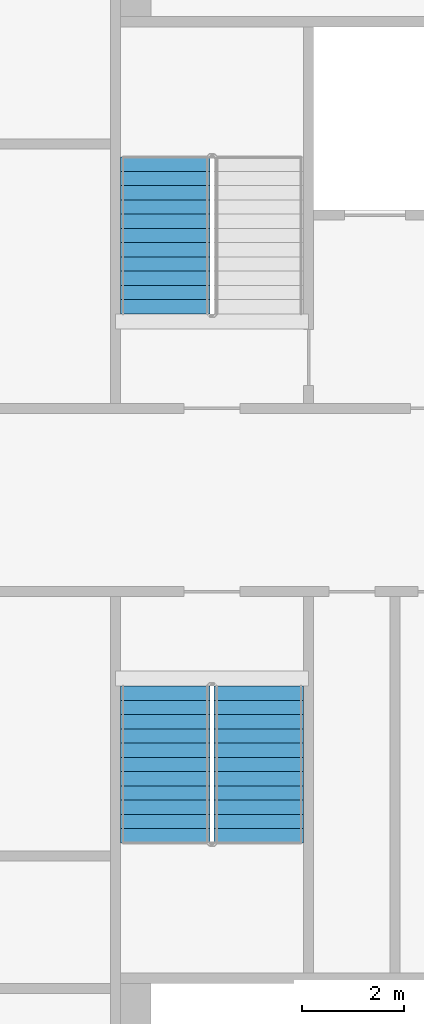
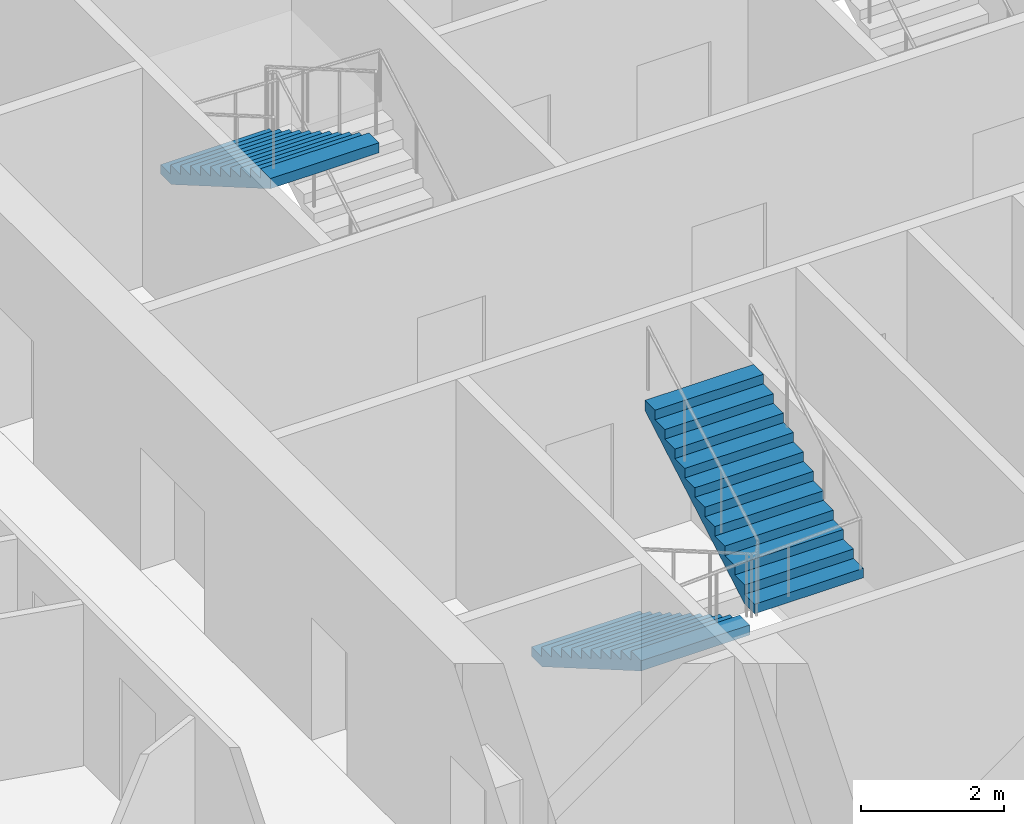
# One storey, part 16 of 23: 3 stair flights, 2 elements without a shape of their own.
"""IFC4 building model written with IfcOpenShell, lengths in metres."""

from ifc_helpers import new_model, si_unit, direction, frame, origin, place, context, subcontext, project, spatial, faceted_brep, material, type_object, element, aggregate, save


model = new_model("IFC4")

# Units and contexts
model_context = context("Model", 3, precision=1e-05, world=origin(), true_north=direction((0.0, 1.0)))
body_context = subcontext(model_context, "Body", "Model", "MODEL_VIEW")
ifc_project = project(units=[si_unit("LENGTHUNIT", "METRE"), si_unit("AREAUNIT", "SQUARE_METRE"), si_unit("VOLUMEUNIT", "CUBIC_METRE"), si_unit("PLANEANGLEUNIT", "RADIAN"), si_unit("MASSUNIT", "GRAM", prefix="KILO")], contexts=[model_context])

# Site, building, storey
site_placement = place(None, origin())
site = spatial("IfcSite", under=ifc_project, at=site_placement, CompositionType="ELEMENT")
building_placement = place(site_placement, origin())
building = spatial("IfcBuilding", under=site, at=building_placement, Name="Tarsis Ring Headquarters", CompositionType="ELEMENT")
storey_placement = place(building_placement, frame((0.0, 0.0, 231.60009765625)))
storey = spatial("IfcBuildingStorey", under=building, at=storey_placement, Name="L54", CompositionType="ELEMENT", Elevation=231.60009765625)

# Stair, stair flight
ifc_material_1 = material(Name="Core stair 1760")
stair_type = type_object("IfcStairType", Name="Core stair 1760", PredefinedType="HALF_TURN_STAIR", material=ifc_material_1)
stair_1_placement = place(storey_placement, origin())
stair_1 = element("IfcStair", 1, at=stair_1_placement, inside=storey, type_object=stair_type, Name="L54 Firefighting stair", PredefinedType="HALF_TURN_STAIR")
ifc_material_2 = material(Name="Concrete C40/50", Category="concrete")
stair_flight_type = type_object("IfcStairFlightType", Name="Core stair flight 1760", PredefinedType="STRAIGHT", material=ifc_material_2)
stair_flight_1_placement = place(storey_placement, frame((-5.419921875, 6.739990234375, 1.949951171875), z_axis=(0.0, 0.0, 1.0), x_axis=(0.0, -1.0, 0.0)))
stair_flight_1 = element("IfcStairFlight", 2, at=stair_flight_1_placement, type_object=stair_flight_type, Name="Stair ST1 flight 2", NumberOfRisers=12, NumberOfTreads=11, PredefinedType="STRAIGHT", RiserHeight=0.1625, TreadLength=0.28, context=body_context, shape_type="Brep", body=[
    faceted_brep([(0.0, 0.8798828125, 0.0), (0.0, 0.8798828125, 0.16259765625), (0.280029296875, 0.8798828125, 0.16259765625), (0.280029296875, 0.8798828125, 0.324951171875), (0.56005859375, 0.8798828125, 0.324951171875), (0.56005859375, 0.8798828125, 0.487548828125), (0.840087890625, 0.8798828125, 0.487548828125), (0.840087890625, 0.8798828125, 0.64990234375), (1.1201171875, 0.8798828125, 0.64990234375), (1.1201171875, 0.8798828125, 0.8125), (1.39990234375, 0.8798828125, 0.8125), (1.39990234375, 0.8798828125, 0.97509765625), (1.679931640625, 0.8798828125, 0.97509765625), (1.679931640625, 0.8798828125, 1.137451171875), (1.9599609375, 0.8798828125, 1.137451171875), (1.9599609375, 0.8798828125, 1.300048828125), (2.239990234375, 0.8798828125, 1.300048828125), (2.239990234375, 0.8798828125, 1.46240234375), (2.52001953125, 0.8798828125, 1.46240234375), (2.52001953125, 0.8798828125, 1.625), (2.800048828125, 0.8798828125, 1.625), (2.800048828125, 0.8798828125, 1.78759765625), (3.080078125, 0.8798828125, 1.78759765625), (3.080078125, 0.8798828125, 1.6142578125), (0.298583984375, 0.8798828125, 0.0), (0.298583984375, -0.8798828125, 0.0), (3.080078125, -0.8798828125, 1.6142578125), (3.080078125, -0.8798828125, 1.78759765625), (2.800048828125, -0.8798828125, 1.78759765625), (2.800048828125, -0.8798828125, 1.625), (2.52001953125, -0.8798828125, 1.625), (2.52001953125, -0.8798828125, 1.46240234375), (2.239990234375, -0.8798828125, 1.46240234375), (2.239990234375, -0.8798828125, 1.300048828125), (1.9599609375, -0.8798828125, 1.300048828125), (1.9599609375, -0.8798828125, 1.137451171875), (1.679931640625, -0.8798828125, 1.137451171875), (1.679931640625, -0.8798828125, 0.97509765625), (1.39990234375, -0.8798828125, 0.97509765625), (1.39990234375, -0.8798828125, 0.8125), (1.1201171875, -0.8798828125, 0.8125), (1.1201171875, -0.8798828125, 0.64990234375), (0.840087890625, -0.8798828125, 0.64990234375), (0.840087890625, -0.8798828125, 0.487548828125), (0.56005859375, -0.8798828125, 0.487548828125), (0.56005859375, -0.8798828125, 0.324951171875), (0.280029296875, -0.8798828125, 0.324951171875), (0.280029296875, -0.8798828125, 0.16259765625), (0.0, -0.8798828125, 0.16259765625), (0.0, -0.8798828125, 0.0), (0.0, -0.43994140625, 0.16259765625), (0.0, -0.43994140625, 0.0), (0.0, 0.0, 0.16259765625), (0.0, 0.0, 0.0), (0.0, 0.43994140625, 0.16259765625), (0.0, 0.43994140625, 0.0), (0.280029296875, -0.43994140625, 0.16259765625), (0.280029296875, 0.0, 0.16259765625), (0.280029296875, 0.43994140625, 0.16259765625), (0.280029296875, -0.43994140625, 0.324951171875), (0.280029296875, 0.0, 0.324951171875), (0.280029296875, 0.43994140625, 0.324951171875), (0.56005859375, -0.43994140625, 0.324951171875), (0.56005859375, 0.0, 0.324951171875), (0.56005859375, 0.43994140625, 0.324951171875), (0.56005859375, -0.43994140625, 0.487548828125), (0.56005859375, 0.0, 0.487548828125), (0.56005859375, 0.43994140625, 0.487548828125), (0.840087890625, -0.43994140625, 0.487548828125), (0.840087890625, 0.0, 0.487548828125), (0.840087890625, 0.43994140625, 0.487548828125), (0.840087890625, -0.43994140625, 0.64990234375), (0.840087890625, 0.0, 0.64990234375), (0.840087890625, 0.43994140625, 0.64990234375), (1.1201171875, -0.43994140625, 0.64990234375), (1.1201171875, 0.0, 0.64990234375), (1.1201171875, 0.43994140625, 0.64990234375), (1.1201171875, -0.43994140625, 0.8125), (1.1201171875, 0.0, 0.8125), (1.1201171875, 0.43994140625, 0.8125), (1.39990234375, -0.43994140625, 0.8125), (1.39990234375, 0.0, 0.8125), (1.39990234375, 0.43994140625, 0.8125), (1.39990234375, -0.43994140625, 0.97509765625), (1.39990234375, 0.0, 0.97509765625), (1.39990234375, 0.43994140625, 0.97509765625), (1.679931640625, -0.43994140625, 0.97509765625), (1.679931640625, 0.0, 0.97509765625), (1.679931640625, 0.43994140625, 0.97509765625), (1.679931640625, -0.43994140625, 1.137451171875), (1.679931640625, 0.0, 1.137451171875), (1.679931640625, 0.43994140625, 1.137451171875), (1.9599609375, -0.43994140625, 1.137451171875), (1.9599609375, 0.0, 1.137451171875), (1.9599609375, 0.43994140625, 1.137451171875), (1.9599609375, -0.43994140625, 1.300048828125), (1.9599609375, 0.0, 1.300048828125), (1.9599609375, 0.43994140625, 1.300048828125), (2.239990234375, -0.43994140625, 1.300048828125), (2.239990234375, 0.0, 1.300048828125), (2.239990234375, 0.43994140625, 1.300048828125), (2.239990234375, -0.43994140625, 1.46240234375), (2.239990234375, 0.0, 1.46240234375), (2.239990234375, 0.43994140625, 1.46240234375), (2.52001953125, -0.43994140625, 1.46240234375), (2.52001953125, 0.0, 1.46240234375), (2.52001953125, 0.43994140625, 1.46240234375), (2.52001953125, -0.43994140625, 1.625), (2.52001953125, 0.0, 1.625), (2.52001953125, 0.43994140625, 1.625), (2.800048828125, -0.43994140625, 1.625), (2.800048828125, 0.0, 1.625), (2.800048828125, 0.43994140625, 1.625), (2.800048828125, -0.43994140625, 1.78759765625), (2.800048828125, 0.0, 1.78759765625), (2.800048828125, 0.43994140625, 1.78759765625), (3.080078125, -0.43994140625, 1.78759765625), (3.080078125, 0.0, 1.78759765625), (3.080078125, 0.43994140625, 1.78759765625), (3.080078125, -0.43994140625, 1.6142578125), (3.080078125, 0.0, 1.6142578125), (3.080078125, 0.43994140625, 1.6142578125), (0.298583984375, -0.43994140625, 0.0), (0.298583984375, 0.0, 0.0), (0.298583984375, 0.43994140625, 0.0)], [[[0, 1, 2, 3, 4, 5, 6, 7, 8, 9, 10, 11, 12, 13, 14, 15, 16, 17, 18, 19, 20, 21, 22, 23, 24]], [[25, 26, 27, 28, 29, 30, 31, 32, 33, 34, 35, 36, 37, 38, 39, 40, 41, 42, 43, 44, 45, 46, 47, 48, 49]], [[49, 48, 50, 51]], [[51, 50, 52, 53]], [[53, 52, 54, 55]], [[55, 54, 1, 0]], [[48, 47, 56, 50]], [[50, 56, 57, 52]], [[52, 57, 58, 54]], [[54, 58, 2, 1]], [[47, 46, 59, 56]], [[56, 59, 60, 57]], [[57, 60, 61, 58]], [[58, 61, 3, 2]], [[46, 45, 62, 59]], [[59, 62, 63, 60]], [[60, 63, 64, 61]], [[61, 64, 4, 3]], [[45, 44, 65, 62]], [[62, 65, 66, 63]], [[63, 66, 67, 64]], [[64, 67, 5, 4]], [[44, 43, 68, 65]], [[65, 68, 69, 66]], [[66, 69, 70, 67]], [[67, 70, 6, 5]], [[43, 42, 71, 68]], [[68, 71, 72, 69]], [[69, 72, 73, 70]], [[70, 73, 7, 6]], [[42, 41, 74, 71]], [[71, 74, 75, 72]], [[72, 75, 76, 73]], [[73, 76, 8, 7]], [[41, 40, 77, 74]], [[74, 77, 78, 75]], [[75, 78, 79, 76]], [[76, 79, 9, 8]], [[40, 39, 80, 77]], [[77, 80, 81, 78]], [[78, 81, 82, 79]], [[79, 82, 10, 9]], [[39, 38, 83, 80]], [[80, 83, 84, 81]], [[81, 84, 85, 82]], [[82, 85, 11, 10]], [[38, 37, 86, 83]], [[83, 86, 87, 84]], [[84, 87, 88, 85]], [[85, 88, 12, 11]], [[37, 36, 89, 86]], [[86, 89, 90, 87]], [[87, 90, 91, 88]], [[88, 91, 13, 12]], [[36, 35, 92, 89]], [[89, 92, 93, 90]], [[90, 93, 94, 91]], [[91, 94, 14, 13]], [[35, 34, 95, 92]], [[92, 95, 96, 93]], [[93, 96, 97, 94]], [[94, 97, 15, 14]], [[34, 33, 98, 95]], [[95, 98, 99, 96]], [[96, 99, 100, 97]], [[97, 100, 16, 15]], [[33, 32, 101, 98]], [[98, 101, 102, 99]], [[99, 102, 103, 100]], [[100, 103, 17, 16]], [[32, 31, 104, 101]], [[101, 104, 105, 102]], [[102, 105, 106, 103]], [[103, 106, 18, 17]], [[31, 30, 107, 104]], [[104, 107, 108, 105]], [[105, 108, 109, 106]], [[106, 109, 19, 18]], [[30, 29, 110, 107]], [[107, 110, 111, 108]], [[108, 111, 112, 109]], [[109, 112, 20, 19]], [[29, 28, 113, 110]], [[110, 113, 114, 111]], [[111, 114, 115, 112]], [[112, 115, 21, 20]], [[28, 27, 116, 113]], [[113, 116, 117, 114]], [[114, 117, 118, 115]], [[115, 118, 22, 21]], [[27, 26, 119, 116]], [[116, 119, 120, 117]], [[117, 120, 121, 118]], [[118, 121, 23, 22]], [[26, 25, 122, 119]], [[119, 122, 123, 120]], [[120, 123, 124, 121]], [[121, 124, 24, 23]], [[25, 49, 51, 122]], [[122, 51, 53, 123]], [[123, 53, 55, 124]], [[124, 55, 0, 24]]]),
])
aggregate(stair_1, [stair_flight_1])

# Stair, stair flights
stair_2_placement = place(storey_placement, origin())
stair_2 = element("IfcStair", 3, at=stair_2_placement, inside=storey, type_object=stair_type, Name="L54 Exit stair C", PredefinedType="HALF_TURN_STAIR")
stair_flight_2_placement = place(storey_placement, frame((-5.419921875, -3.659912109375, 0.0), z_axis=(0.0, 0.0, 1.0), x_axis=(0.0, -1.0, 0.0)))
stair_flight_2 = element("IfcStairFlight", 4, at=stair_flight_2_placement, type_object=stair_flight_type, Name="Stair ST3 flight 1", NumberOfRisers=12, NumberOfTreads=11, PredefinedType="STRAIGHT", RiserHeight=0.1625, TreadLength=0.28, context=body_context, shape_type="Brep", body=[
    faceted_brep([(0.0, 0.8798828125, 0.0), (0.0, 0.8798828125, 0.16259765625), (0.280029296875, 0.8798828125, 0.16259765625), (0.280029296875, 0.8798828125, 0.324951171875), (0.56005859375, 0.8798828125, 0.324951171875), (0.56005859375, 0.8798828125, 0.487548828125), (0.840087890625, 0.8798828125, 0.487548828125), (0.840087890625, 0.8798828125, 0.64990234375), (1.1201171875, 0.8798828125, 0.64990234375), (1.1201171875, 0.8798828125, 0.8125), (1.39990234375, 0.8798828125, 0.8125), (1.39990234375, 0.8798828125, 0.97509765625), (1.679931640625, 0.8798828125, 0.97509765625), (1.679931640625, 0.8798828125, 1.137451171875), (1.9599609375, 0.8798828125, 1.137451171875), (1.9599609375, 0.8798828125, 1.300048828125), (2.239990234375, 0.8798828125, 1.300048828125), (2.239990234375, 0.8798828125, 1.46240234375), (2.52001953125, 0.8798828125, 1.46240234375), (2.52001953125, 0.8798828125, 1.625), (2.800048828125, 0.8798828125, 1.625), (2.800048828125, 0.8798828125, 1.78759765625), (3.080078125, 0.8798828125, 1.78759765625), (3.080078125, 0.8798828125, 1.6142578125), (0.298583984375, 0.8798828125, 0.0), (0.298583984375, -0.8798828125, 0.0), (3.080078125, -0.8798828125, 1.6142578125), (3.080078125, -0.8798828125, 1.78759765625), (2.800048828125, -0.8798828125, 1.78759765625), (2.800048828125, -0.8798828125, 1.625), (2.52001953125, -0.8798828125, 1.625), (2.52001953125, -0.8798828125, 1.46240234375), (2.239990234375, -0.8798828125, 1.46240234375), (2.239990234375, -0.8798828125, 1.300048828125), (1.9599609375, -0.8798828125, 1.300048828125), (1.9599609375, -0.8798828125, 1.137451171875), (1.679931640625, -0.8798828125, 1.137451171875), (1.679931640625, -0.8798828125, 0.97509765625), (1.39990234375, -0.8798828125, 0.97509765625), (1.39990234375, -0.8798828125, 0.8125), (1.1201171875, -0.8798828125, 0.8125), (1.1201171875, -0.8798828125, 0.64990234375), (0.840087890625, -0.8798828125, 0.64990234375), (0.840087890625, -0.8798828125, 0.487548828125), (0.56005859375, -0.8798828125, 0.487548828125), (0.56005859375, -0.8798828125, 0.324951171875), (0.280029296875, -0.8798828125, 0.324951171875), (0.280029296875, -0.8798828125, 0.16259765625), (0.0, -0.8798828125, 0.16259765625), (0.0, -0.8798828125, 0.0), (0.0, -0.43994140625, 0.16259765625), (0.0, -0.43994140625, 0.0), (0.0, 0.0, 0.16259765625), (0.0, 0.0, 0.0), (0.0, 0.43994140625, 0.16259765625), (0.0, 0.43994140625, 0.0), (0.280029296875, -0.43994140625, 0.16259765625), (0.280029296875, 0.0, 0.16259765625), (0.280029296875, 0.43994140625, 0.16259765625), (0.280029296875, -0.43994140625, 0.324951171875), (0.280029296875, 0.0, 0.324951171875), (0.280029296875, 0.43994140625, 0.324951171875), (0.56005859375, -0.43994140625, 0.324951171875), (0.56005859375, 0.0, 0.324951171875), (0.56005859375, 0.43994140625, 0.324951171875), (0.56005859375, -0.43994140625, 0.487548828125), (0.56005859375, 0.0, 0.487548828125), (0.56005859375, 0.43994140625, 0.487548828125), (0.840087890625, -0.43994140625, 0.487548828125), (0.840087890625, 0.0, 0.487548828125), (0.840087890625, 0.43994140625, 0.487548828125), (0.840087890625, -0.43994140625, 0.64990234375), (0.840087890625, 0.0, 0.64990234375), (0.840087890625, 0.43994140625, 0.64990234375), (1.1201171875, -0.43994140625, 0.64990234375), (1.1201171875, 0.0, 0.64990234375), (1.1201171875, 0.43994140625, 0.64990234375), (1.1201171875, -0.43994140625, 0.8125), (1.1201171875, 0.0, 0.8125), (1.1201171875, 0.43994140625, 0.8125), (1.39990234375, -0.43994140625, 0.8125), (1.39990234375, 0.0, 0.8125), (1.39990234375, 0.43994140625, 0.8125), (1.39990234375, -0.43994140625, 0.97509765625), (1.39990234375, 0.0, 0.97509765625), (1.39990234375, 0.43994140625, 0.97509765625), (1.679931640625, -0.43994140625, 0.97509765625), (1.679931640625, 0.0, 0.97509765625), (1.679931640625, 0.43994140625, 0.97509765625), (1.679931640625, -0.43994140625, 1.137451171875), (1.679931640625, 0.0, 1.137451171875), (1.679931640625, 0.43994140625, 1.137451171875), (1.9599609375, -0.43994140625, 1.137451171875), (1.9599609375, 0.0, 1.137451171875), (1.9599609375, 0.43994140625, 1.137451171875), (1.9599609375, -0.43994140625, 1.300048828125), (1.9599609375, 0.0, 1.300048828125), (1.9599609375, 0.43994140625, 1.300048828125), (2.239990234375, -0.43994140625, 1.300048828125), (2.239990234375, 0.0, 1.300048828125), (2.239990234375, 0.43994140625, 1.300048828125), (2.239990234375, -0.43994140625, 1.46240234375), (2.239990234375, 0.0, 1.46240234375), (2.239990234375, 0.43994140625, 1.46240234375), (2.52001953125, -0.43994140625, 1.46240234375), (2.52001953125, 0.0, 1.46240234375), (2.52001953125, 0.43994140625, 1.46240234375), (2.52001953125, -0.43994140625, 1.625), (2.52001953125, 0.0, 1.625), (2.52001953125, 0.43994140625, 1.625), (2.800048828125, -0.43994140625, 1.625), (2.800048828125, 0.0, 1.625), (2.800048828125, 0.43994140625, 1.625), (2.800048828125, -0.43994140625, 1.78759765625), (2.800048828125, 0.0, 1.78759765625), (2.800048828125, 0.43994140625, 1.78759765625), (3.080078125, -0.43994140625, 1.78759765625), (3.080078125, 0.0, 1.78759765625), (3.080078125, 0.43994140625, 1.78759765625), (3.080078125, -0.43994140625, 1.6142578125), (3.080078125, 0.0, 1.6142578125), (3.080078125, 0.43994140625, 1.6142578125), (0.298583984375, -0.43994140625, 0.0), (0.298583984375, 0.0, 0.0), (0.298583984375, 0.43994140625, 0.0)], [[[0, 1, 2, 3, 4, 5, 6, 7, 8, 9, 10, 11, 12, 13, 14, 15, 16, 17, 18, 19, 20, 21, 22, 23, 24]], [[25, 26, 27, 28, 29, 30, 31, 32, 33, 34, 35, 36, 37, 38, 39, 40, 41, 42, 43, 44, 45, 46, 47, 48, 49]], [[49, 48, 50, 51]], [[51, 50, 52, 53]], [[53, 52, 54, 55]], [[55, 54, 1, 0]], [[48, 47, 56, 50]], [[50, 56, 57, 52]], [[52, 57, 58, 54]], [[54, 58, 2, 1]], [[47, 46, 59, 56]], [[56, 59, 60, 57]], [[57, 60, 61, 58]], [[58, 61, 3, 2]], [[46, 45, 62, 59]], [[59, 62, 63, 60]], [[60, 63, 64, 61]], [[61, 64, 4, 3]], [[45, 44, 65, 62]], [[62, 65, 66, 63]], [[63, 66, 67, 64]], [[64, 67, 5, 4]], [[44, 43, 68, 65]], [[65, 68, 69, 66]], [[66, 69, 70, 67]], [[67, 70, 6, 5]], [[43, 42, 71, 68]], [[68, 71, 72, 69]], [[69, 72, 73, 70]], [[70, 73, 7, 6]], [[42, 41, 74, 71]], [[71, 74, 75, 72]], [[72, 75, 76, 73]], [[73, 76, 8, 7]], [[41, 40, 77, 74]], [[74, 77, 78, 75]], [[75, 78, 79, 76]], [[76, 79, 9, 8]], [[40, 39, 80, 77]], [[77, 80, 81, 78]], [[78, 81, 82, 79]], [[79, 82, 10, 9]], [[39, 38, 83, 80]], [[80, 83, 84, 81]], [[81, 84, 85, 82]], [[82, 85, 11, 10]], [[38, 37, 86, 83]], [[83, 86, 87, 84]], [[84, 87, 88, 85]], [[85, 88, 12, 11]], [[37, 36, 89, 86]], [[86, 89, 90, 87]], [[87, 90, 91, 88]], [[88, 91, 13, 12]], [[36, 35, 92, 89]], [[89, 92, 93, 90]], [[90, 93, 94, 91]], [[91, 94, 14, 13]], [[35, 34, 95, 92]], [[92, 95, 96, 93]], [[93, 96, 97, 94]], [[94, 97, 15, 14]], [[34, 33, 98, 95]], [[95, 98, 99, 96]], [[96, 99, 100, 97]], [[97, 100, 16, 15]], [[33, 32, 101, 98]], [[98, 101, 102, 99]], [[99, 102, 103, 100]], [[100, 103, 17, 16]], [[32, 31, 104, 101]], [[101, 104, 105, 102]], [[102, 105, 106, 103]], [[103, 106, 18, 17]], [[31, 30, 107, 104]], [[104, 107, 108, 105]], [[105, 108, 109, 106]], [[106, 109, 19, 18]], [[30, 29, 110, 107]], [[107, 110, 111, 108]], [[108, 111, 112, 109]], [[109, 112, 20, 19]], [[29, 28, 113, 110]], [[110, 113, 114, 111]], [[111, 114, 115, 112]], [[112, 115, 21, 20]], [[28, 27, 116, 113]], [[113, 116, 117, 114]], [[114, 117, 118, 115]], [[115, 118, 22, 21]], [[27, 26, 119, 116]], [[116, 119, 120, 117]], [[117, 120, 121, 118]], [[118, 121, 23, 22]], [[26, 25, 122, 119]], [[119, 122, 123, 120]], [[120, 123, 124, 121]], [[121, 124, 24, 23]], [[25, 49, 51, 122]], [[122, 51, 53, 123]], [[123, 53, 55, 124]], [[124, 55, 0, 24]]]),
])
stair_flight_3_placement = place(storey_placement, frame((-3.580078125, -6.739990234375, 1.949951171875), z_axis=(0.0, 0.0, 1.0), x_axis=(0.0, 1.0, 0.0)))
stair_flight_3 = element("IfcStairFlight", 5, at=stair_flight_3_placement, type_object=stair_flight_type, Name="Stair ST3 flight 2", NumberOfRisers=12, NumberOfTreads=11, PredefinedType="STRAIGHT", RiserHeight=0.1625, TreadLength=0.28, context=body_context, shape_type="Brep", body=[
    faceted_brep([(0.0, 0.8798828125, 0.0), (0.0, 0.8798828125, 0.16259765625), (0.280029296875, 0.8798828125, 0.16259765625), (0.280029296875, 0.8798828125, 0.324951171875), (0.56005859375, 0.8798828125, 0.324951171875), (0.56005859375, 0.8798828125, 0.487548828125), (0.840087890625, 0.8798828125, 0.487548828125), (0.840087890625, 0.8798828125, 0.64990234375), (1.1201171875, 0.8798828125, 0.64990234375), (1.1201171875, 0.8798828125, 0.8125), (1.39990234375, 0.8798828125, 0.8125), (1.39990234375, 0.8798828125, 0.97509765625), (1.679931640625, 0.8798828125, 0.97509765625), (1.679931640625, 0.8798828125, 1.137451171875), (1.9599609375, 0.8798828125, 1.137451171875), (1.9599609375, 0.8798828125, 1.300048828125), (2.239990234375, 0.8798828125, 1.300048828125), (2.239990234375, 0.8798828125, 1.46240234375), (2.52001953125, 0.8798828125, 1.46240234375), (2.52001953125, 0.8798828125, 1.625), (2.800048828125, 0.8798828125, 1.625), (2.800048828125, 0.8798828125, 1.78759765625), (3.080078125, 0.8798828125, 1.78759765625), (3.080078125, 0.8798828125, 1.6142578125), (0.298583984375, 0.8798828125, 0.0), (0.298583984375, -0.8798828125, 0.0), (3.080078125, -0.8798828125, 1.6142578125), (3.080078125, -0.8798828125, 1.78759765625), (2.800048828125, -0.8798828125, 1.78759765625), (2.800048828125, -0.8798828125, 1.625), (2.52001953125, -0.8798828125, 1.625), (2.52001953125, -0.8798828125, 1.46240234375), (2.239990234375, -0.8798828125, 1.46240234375), (2.239990234375, -0.8798828125, 1.300048828125), (1.9599609375, -0.8798828125, 1.300048828125), (1.9599609375, -0.8798828125, 1.137451171875), (1.679931640625, -0.8798828125, 1.137451171875), (1.679931640625, -0.8798828125, 0.97509765625), (1.39990234375, -0.8798828125, 0.97509765625), (1.39990234375, -0.8798828125, 0.8125), (1.1201171875, -0.8798828125, 0.8125), (1.1201171875, -0.8798828125, 0.64990234375), (0.840087890625, -0.8798828125, 0.64990234375), (0.840087890625, -0.8798828125, 0.487548828125), (0.56005859375, -0.8798828125, 0.487548828125), (0.56005859375, -0.8798828125, 0.324951171875), (0.280029296875, -0.8798828125, 0.324951171875), (0.280029296875, -0.8798828125, 0.16259765625), (0.0, -0.8798828125, 0.16259765625), (0.0, -0.8798828125, 0.0), (0.0, -0.43994140625, 0.16259765625), (0.0, -0.43994140625, 0.0), (0.0, 0.0, 0.16259765625), (0.0, 0.0, 0.0), (0.0, 0.43994140625, 0.16259765625), (0.0, 0.43994140625, 0.0), (0.280029296875, -0.43994140625, 0.16259765625), (0.280029296875, 0.0, 0.16259765625), (0.280029296875, 0.43994140625, 0.16259765625), (0.280029296875, -0.43994140625, 0.324951171875), (0.280029296875, 0.0, 0.324951171875), (0.280029296875, 0.43994140625, 0.324951171875), (0.56005859375, -0.43994140625, 0.324951171875), (0.56005859375, 0.0, 0.324951171875), (0.56005859375, 0.43994140625, 0.324951171875), (0.56005859375, -0.43994140625, 0.487548828125), (0.56005859375, 0.0, 0.487548828125), (0.56005859375, 0.43994140625, 0.487548828125), (0.840087890625, -0.43994140625, 0.487548828125), (0.840087890625, 0.0, 0.487548828125), (0.840087890625, 0.43994140625, 0.487548828125), (0.840087890625, -0.43994140625, 0.64990234375), (0.840087890625, 0.0, 0.64990234375), (0.840087890625, 0.43994140625, 0.64990234375), (1.1201171875, -0.43994140625, 0.64990234375), (1.1201171875, 0.0, 0.64990234375), (1.1201171875, 0.43994140625, 0.64990234375), (1.1201171875, -0.43994140625, 0.8125), (1.1201171875, 0.0, 0.8125), (1.1201171875, 0.43994140625, 0.8125), (1.39990234375, -0.43994140625, 0.8125), (1.39990234375, 0.0, 0.8125), (1.39990234375, 0.43994140625, 0.8125), (1.39990234375, -0.43994140625, 0.97509765625), (1.39990234375, 0.0, 0.97509765625), (1.39990234375, 0.43994140625, 0.97509765625), (1.679931640625, -0.43994140625, 0.97509765625), (1.679931640625, 0.0, 0.97509765625), (1.679931640625, 0.43994140625, 0.97509765625), (1.679931640625, -0.43994140625, 1.137451171875), (1.679931640625, 0.0, 1.137451171875), (1.679931640625, 0.43994140625, 1.137451171875), (1.9599609375, -0.43994140625, 1.137451171875), (1.9599609375, 0.0, 1.137451171875), (1.9599609375, 0.43994140625, 1.137451171875), (1.9599609375, -0.43994140625, 1.300048828125), (1.9599609375, 0.0, 1.300048828125), (1.9599609375, 0.43994140625, 1.300048828125), (2.239990234375, -0.43994140625, 1.300048828125), (2.239990234375, 0.0, 1.300048828125), (2.239990234375, 0.43994140625, 1.300048828125), (2.239990234375, -0.43994140625, 1.46240234375), (2.239990234375, 0.0, 1.46240234375), (2.239990234375, 0.43994140625, 1.46240234375), (2.52001953125, -0.43994140625, 1.46240234375), (2.52001953125, 0.0, 1.46240234375), (2.52001953125, 0.43994140625, 1.46240234375), (2.52001953125, -0.43994140625, 1.625), (2.52001953125, 0.0, 1.625), (2.52001953125, 0.43994140625, 1.625), (2.800048828125, -0.43994140625, 1.625), (2.800048828125, 0.0, 1.625), (2.800048828125, 0.43994140625, 1.625), (2.800048828125, -0.43994140625, 1.78759765625), (2.800048828125, 0.0, 1.78759765625), (2.800048828125, 0.43994140625, 1.78759765625), (3.080078125, -0.43994140625, 1.78759765625), (3.080078125, 0.0, 1.78759765625), (3.080078125, 0.43994140625, 1.78759765625), (3.080078125, -0.43994140625, 1.6142578125), (3.080078125, 0.0, 1.6142578125), (3.080078125, 0.43994140625, 1.6142578125), (0.298583984375, -0.43994140625, 0.0), (0.298583984375, 0.0, 0.0), (0.298583984375, 0.43994140625, 0.0)], [[[0, 1, 2, 3, 4, 5, 6, 7, 8, 9, 10, 11, 12, 13, 14, 15, 16, 17, 18, 19, 20, 21, 22, 23, 24]], [[25, 26, 27, 28, 29, 30, 31, 32, 33, 34, 35, 36, 37, 38, 39, 40, 41, 42, 43, 44, 45, 46, 47, 48, 49]], [[49, 48, 50, 51]], [[51, 50, 52, 53]], [[53, 52, 54, 55]], [[55, 54, 1, 0]], [[48, 47, 56, 50]], [[50, 56, 57, 52]], [[52, 57, 58, 54]], [[54, 58, 2, 1]], [[47, 46, 59, 56]], [[56, 59, 60, 57]], [[57, 60, 61, 58]], [[58, 61, 3, 2]], [[46, 45, 62, 59]], [[59, 62, 63, 60]], [[60, 63, 64, 61]], [[61, 64, 4, 3]], [[45, 44, 65, 62]], [[62, 65, 66, 63]], [[63, 66, 67, 64]], [[64, 67, 5, 4]], [[44, 43, 68, 65]], [[65, 68, 69, 66]], [[66, 69, 70, 67]], [[67, 70, 6, 5]], [[43, 42, 71, 68]], [[68, 71, 72, 69]], [[69, 72, 73, 70]], [[70, 73, 7, 6]], [[42, 41, 74, 71]], [[71, 74, 75, 72]], [[72, 75, 76, 73]], [[73, 76, 8, 7]], [[41, 40, 77, 74]], [[74, 77, 78, 75]], [[75, 78, 79, 76]], [[76, 79, 9, 8]], [[40, 39, 80, 77]], [[77, 80, 81, 78]], [[78, 81, 82, 79]], [[79, 82, 10, 9]], [[39, 38, 83, 80]], [[80, 83, 84, 81]], [[81, 84, 85, 82]], [[82, 85, 11, 10]], [[38, 37, 86, 83]], [[83, 86, 87, 84]], [[84, 87, 88, 85]], [[85, 88, 12, 11]], [[37, 36, 89, 86]], [[86, 89, 90, 87]], [[87, 90, 91, 88]], [[88, 91, 13, 12]], [[36, 35, 92, 89]], [[89, 92, 93, 90]], [[90, 93, 94, 91]], [[91, 94, 14, 13]], [[35, 34, 95, 92]], [[92, 95, 96, 93]], [[93, 96, 97, 94]], [[94, 97, 15, 14]], [[34, 33, 98, 95]], [[95, 98, 99, 96]], [[96, 99, 100, 97]], [[97, 100, 16, 15]], [[33, 32, 101, 98]], [[98, 101, 102, 99]], [[99, 102, 103, 100]], [[100, 103, 17, 16]], [[32, 31, 104, 101]], [[101, 104, 105, 102]], [[102, 105, 106, 103]], [[103, 106, 18, 17]], [[31, 30, 107, 104]], [[104, 107, 108, 105]], [[105, 108, 109, 106]], [[106, 109, 19, 18]], [[30, 29, 110, 107]], [[107, 110, 111, 108]], [[108, 111, 112, 109]], [[109, 112, 20, 19]], [[29, 28, 113, 110]], [[110, 113, 114, 111]], [[111, 114, 115, 112]], [[112, 115, 21, 20]], [[28, 27, 116, 113]], [[113, 116, 117, 114]], [[114, 117, 118, 115]], [[115, 118, 22, 21]], [[27, 26, 119, 116]], [[116, 119, 120, 117]], [[117, 120, 121, 118]], [[118, 121, 23, 22]], [[26, 25, 122, 119]], [[119, 122, 123, 120]], [[120, 123, 124, 121]], [[121, 124, 24, 23]], [[25, 49, 51, 122]], [[122, 51, 53, 123]], [[123, 53, 55, 124]], [[124, 55, 0, 24]]]),
])
aggregate(stair_2, [stair_flight_2, stair_flight_3])

save(model, "model.ifc")
